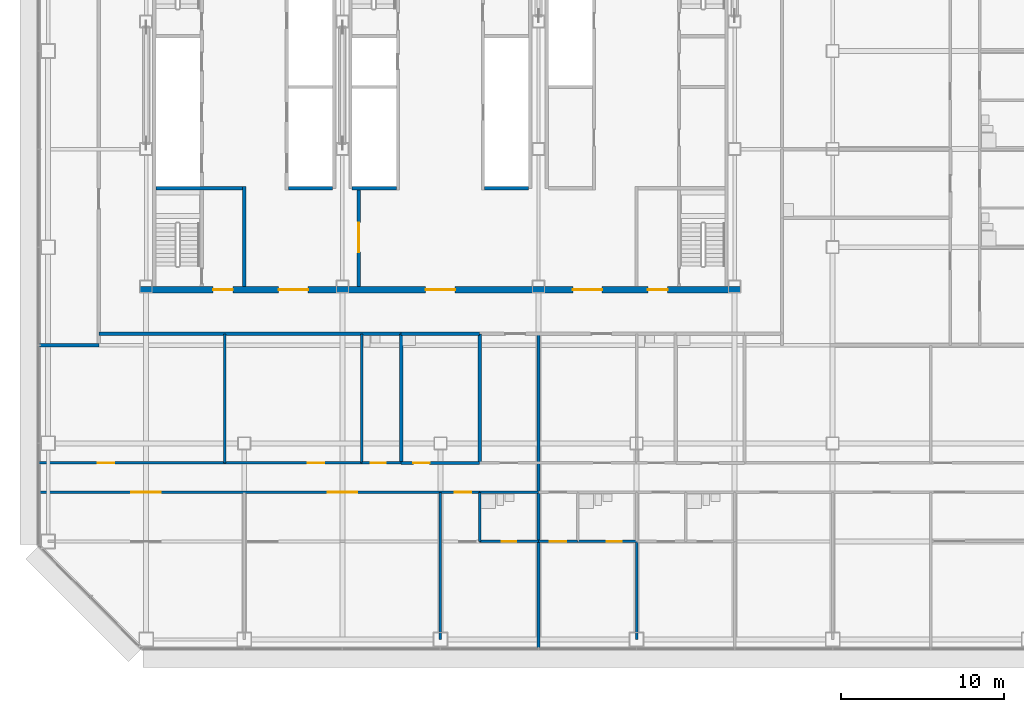
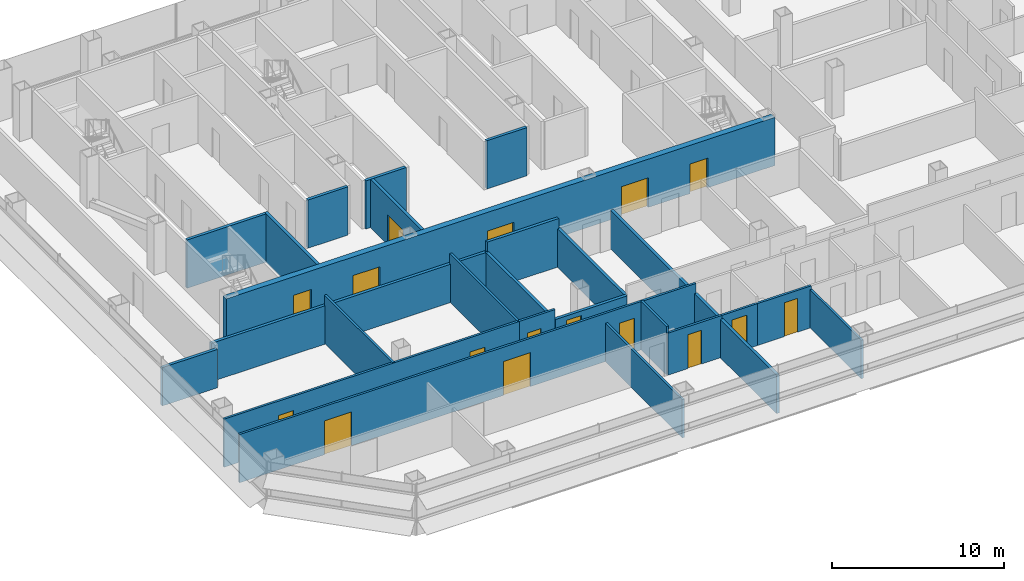
# One storey, part 20 of 26: 26 walls, 16 doors, 16 openings.
"""IFC4 building model written with IfcOpenShell, lengths in metres."""

from ifc_helpers import new_model, si_unit, direction, frame, frame_2d, origin, place, context, subcontext, project, spatial, rectangle, extrude, material, layer, layer_set, type_object, element, fill, save


model = new_model("IFC4")

# Units and contexts
model_context = context("Model", 3, precision=1e-05, world=origin(), true_north=direction((0.0, 1.0)))
body_context = subcontext(model_context, "Body", "Model", "MODEL_VIEW")
ifc_project = project(units=[si_unit("LENGTHUNIT", "METRE"), si_unit("AREAUNIT", "SQUARE_METRE"), si_unit("VOLUMEUNIT", "CUBIC_METRE"), si_unit("PLANEANGLEUNIT", "RADIAN"), si_unit("MASSUNIT", "GRAM", prefix="KILO")], contexts=[model_context])

# Site, building, storey
site_placement = place(None, origin())
site = spatial("IfcSite", under=ifc_project, at=site_placement, CompositionType="ELEMENT")
building_placement = place(site_placement, origin())
building = spatial("IfcBuilding", under=site, at=building_placement, Name="Sorahane Residences", CompositionType="ELEMENT")
storey_placement = place(building_placement, frame((0.0, 0.0, 67.800048828125)))
storey = spatial("IfcBuildingStorey", under=building, at=storey_placement, Name="L13", CompositionType="ELEMENT", Elevation=67.800048828125)

# Walls
ifc_material_1 = material(Name="Concrete blockwork C20 wall", Category="masonry")
ifc_layer_1 = layer(ifc_material_1, 0.199951171875)
ifc_layer_set_1 = layer_set([ifc_layer_1], Name="Corridor wall 200 EI 120")
wall_type_1 = type_object("IfcWallType", Name="Corridor wall 200 EI 120", PredefinedType="SOLIDWALL", material=ifc_layer_set_1)
wall_1_placement = place(storey_placement, frame((-0.60009765625, 18.0, 0.0), z_axis=(0.0, 0.0, 1.0), x_axis=(1.0, 0.0, 0.0)))
element("IfcWall", 1, at=wall_1_placement, inside=storey, type_object=wall_type_1, Name="L13 corridor wall", PredefinedType="SOLIDWALL", context=body_context, shape_type="SweptSolid", body=[
    extrude(rectangle(XDim=3.7001953125, YDim=0.199951171875, at=frame_2d((1.85009765625, 0.0))), origin(), (0.0, 0.0, 1.0), 2.719970703125),
])
wall_2_placement = place(storey_placement, frame((3.10009765625, 18.699951171875, 0.0), z_axis=(0.0, 0.0, 1.0), x_axis=(1.0, 0.0, 0.0)))
element("IfcWall", 2, at=wall_2_placement, inside=storey, type_object=wall_type_1, Name="L13 corridor wall", PredefinedType="SOLIDWALL", context=body_context, shape_type="SweptSolid", body=[
    extrude(rectangle(XDim=18.5, YDim=0.199951171875, at=frame_2d((9.25, 0.0))), origin(), (0.0, 0.0, 1.0), 2.719970703125),
])
ifc_material_2 = material(Name="Concrete C30", Category="concrete")
ifc_layer_2 = layer(ifc_material_2, 0.199951171875)
ifc_layer_set_2 = layer_set([ifc_layer_2], Name="Front room wall 200 EI 120")
wall_type_2 = type_object("IfcWallType", Name="Front room wall 200 EI 120", PredefinedType="PARTITIONING", material=ifc_layer_set_2)
wall_3_placement = place(storey_placement, frame((12.0, 21.60009765625, 0.0), z_axis=(0.0, 0.0, 1.0), x_axis=(0.0, 1.0, 0.0)))
element("IfcWall", 3, at=wall_3_placement, inside=storey, type_object=wall_type_2, Name="L13 front room wall", PredefinedType="PARTITIONING", context=body_context, shape_type="SweptSolid", body=[
    extrude(rectangle(XDim=6.099853515625, YDim=0.199951171875, at=frame_2d((3.0498046875, 0.0))), origin(), (0.0, 0.0, 1.0), 3.419921875),
])
ifc_material_3 = material(Name="Concrete blockwork C20 wall", Category="masonry")
ifc_layer_3 = layer(ifc_material_3, 0.199951171875)
ifc_layer_set_3 = layer_set([ifc_layer_3], Name="Kitchen wall 200 EI 180")
wall_type_3 = type_object("IfcWallType", Name="Kitchen wall 200 EI 180", PredefinedType="SOLIDWALL", material=ifc_layer_set_3)
for number, where, z_axis, x_axis, name in (
    (4, (21.60009765625, 10.800048828125, 0.0), (0.0, 0.0, 1.0), (0.0, 1.0, 0.0), "L13 kitchen wall"),
    (5, (26.39990234375, 10.800048828125, 0.0), (0.0, 0.0, 1.0), (0.0, 1.0, 0.0), "L13 kitchen wall"),
):
    element("IfcWall", number, at=place(storey_placement, frame(where, z_axis=z_axis, x_axis=x_axis)), inside=storey, type_object=wall_type_3, Name=name, PredefinedType="SOLIDWALL", context=body_context, shape_type="SweptSolid", body=[
        extrude(rectangle(XDim=7.89990234375, YDim=0.199951171875, at=frame_2d((3.949951171875, 0.0))), origin(), (0.0, 0.0, 1.0), 2.719970703125),
    ])

# Wall, opening, door
wall_4_placement = place(storey_placement, frame((21.60009765625, 10.800048828125, 0.0), z_axis=(0.0, 0.0, 1.0), x_axis=(1.0, 0.0, 0.0)))
wall_4 = element("IfcWall", 6, at=wall_4_placement, inside=storey, type_object=wall_type_3, Name="L13 kitchen wall", PredefinedType="SOLIDWALL", context=body_context, shape_type="SweptSolid", body=[
    extrude(rectangle(XDim=4.7998046875, YDim=0.199951171875, at=frame_2d((2.39990234375, 0.0))), origin(), (0.0, 0.0, 1.0), 2.719970703125),
])
opening_1_placement = place(wall_4_placement, frame((0.739990234375, 0.0, 0.0)))
opening_1 = element("IfcOpeningElement", 7, at=opening_1_placement, cuts=wall_4, Name="Opening L13-05", PredefinedType="OPENING", context=body_context, shape_type="SweptSolid", body=[
    extrude(rectangle(XDim=1.0, YDim=2.39990234375, at=frame_2d((0.5, 1.199951171875))), frame((0.0, 0.10986328125, 0.0), z_axis=(0.0, -1.0, 0.0), x_axis=(1.0, 0.0, 0.0)), (0.0, 0.0, 1.0), 0.219970703125),
])
ifc_material_4 = material(Name="Steel", Category="steel")
door_type_1 = type_object("IfcDoorType", Name="Kitchen door 1000x2400 FD120", OperationType="NOTDEFINED", PredefinedType="DOOR", material=ifc_material_4)
door_1_placement = place(opening_1_placement, origin())
door_1 = element("IfcDoor", 8, at=door_1_placement, inside=storey, type_object=door_type_1, Name="Kitchen door L13-05", OperationType="SINGLE_SWING_LEFT", OverallHeight=2.39990234375, OverallWidth=1.0, PredefinedType="DOOR", context=body_context, shape_type="SweptSolid", body=[
    extrude(rectangle(XDim=1.0, YDim=2.39990234375, at=frame_2d((0.5, 1.199951171875))), frame((0.0, 0.02490234375, 0.0), z_axis=(0.0, -1.0, 0.0), x_axis=(1.0, 0.0, 0.0)), (0.0, 0.0, 1.0), 0.050048828125),
])
fill(opening_1, door_1)

# Walls
wall_5_placement = place(storey_placement, frame((21.60009765625, 18.699951171875, 0.0), z_axis=(0.0, 0.0, 1.0), x_axis=(1.0, 0.0, 0.0)))
element("IfcWall", 9, at=wall_5_placement, inside=storey, type_object=wall_type_3, Name="L13 kitchen wall", PredefinedType="SOLIDWALL", context=body_context, shape_type="SweptSolid", body=[
    extrude(rectangle(XDim=4.7998046875, YDim=0.199951171875, at=frame_2d((2.39990234375, 0.0))), origin(), (0.0, 0.0, 1.0), 3.419921875),
])
ifc_material_5 = material(Name="Concrete C30", Category="concrete")
ifc_layer_4 = layer(ifc_material_5, 0.199951171875)
ifc_layer_set_4 = layer_set([ifc_layer_4], Name="Lift shaft wall 200 EI 120")
wall_type_4 = type_object("IfcWallType", Name="Lift shaft wall 200 EI 120", PredefinedType="SOLIDWALL", material=ifc_layer_set_4)
for number, where, z_axis, x_axis, name in (
    (10, (14.699951171875, 27.60009765625, 0.0), (0.0, 0.0, 1.0), (1.0, 0.0, 0.0), "L13 lift shaft wall"),
    (11, (18.60009765625, 27.60009765625, 0.0), (0.0, 0.0, 1.0), (1.0, 0.0, 0.0), "L13 lift shaft wall"),
):
    element("IfcWall", number, at=place(storey_placement, frame(where, z_axis=z_axis, x_axis=x_axis)), inside=storey, type_object=wall_type_4, Name=name, PredefinedType="SOLIDWALL", context=body_context, shape_type="SweptSolid", body=[
        extrude(rectangle(XDim=2.699951171875, YDim=0.199951171875, at=frame_2d((1.35009765625, 0.0))), origin(), (0.0, 0.0, 1.0), 3.419921875),
    ])
ifc_material_6 = material(Name="Gypsum board partition on steel studs", Category="steel")
ifc_layer_5 = layer(ifc_material_6, 0.14990234375)
ifc_layer_set_5 = layer_set([ifc_layer_5], Name="Partition 150 EI 90")
wall_type_5 = type_object("IfcWallType", Name="Partition 150 EI 90", PredefinedType="PARTITIONING", material=ifc_layer_set_5)
wall_6_placement = place(storey_placement, frame((10.800048828125, 10.800048828125, 0.0), z_axis=(0.0, 0.0, 1.0), x_axis=(0.0, 1.0, 0.0)))
element("IfcWall", 12, at=wall_6_placement, inside=storey, type_object=wall_type_5, Name="L13 partition", PredefinedType="PARTITIONING", context=body_context, shape_type="SweptSolid", body=[
    extrude(rectangle(XDim=7.89990234375, YDim=0.14990234375, at=frame_2d((3.949951171875, 0.0))), origin(), (0.0, 0.0, 1.0), 3.419921875),
])
wall_7_placement = place(storey_placement, frame((24.0, 0.0, 0.0), z_axis=(0.0, 0.0, 1.0), x_axis=(0.0, 1.0, 0.0)))
element("IfcWall", 13, at=wall_7_placement, inside=storey, type_object=wall_type_5, Name="L13 partition", PredefinedType="PARTITIONING", context=body_context, shape_type="SweptSolid", body=[
    extrude(rectangle(XDim=9.0, YDim=0.14990234375, at=frame_2d((4.5, 0.0))), origin(), (0.0, 0.0, 1.0), 2.719970703125),
])
wall_8_placement = place(storey_placement, frame((36.0, 0.0, 0.0), z_axis=(0.0, 0.0, 1.0), x_axis=(0.0, 1.0, 0.0)))
element("IfcWall", 14, at=wall_8_placement, inside=storey, type_object=wall_type_5, Name="L13 partition", PredefinedType="PARTITIONING", context=body_context, shape_type="SweptSolid", body=[
    extrude(rectangle(XDim=6.0, YDim=0.14990234375, at=frame_2d((3.0, 0.0))), origin(), (0.0, 0.0, 1.0), 2.719970703125),
])

# Wall, openings, doors
wall_9_placement = place(storey_placement, frame((-0.60009765625, 10.800048828125, 0.0), z_axis=(0.0, 0.0, 1.0), x_axis=(1.0, 0.0, 0.0)))
wall_9 = element("IfcWall", 15, at=wall_9_placement, inside=storey, type_object=wall_type_5, Name="L13 partition", PredefinedType="PARTITIONING", context=body_context, shape_type="SweptSolid", body=[
    extrude(rectangle(XDim=19.800048828125, YDim=0.14990234375, at=frame_2d((9.89990234375, 0.0))), origin(), (0.0, 0.0, 1.0), 3.419921875),
])
opening_2_placement = place(wall_9_placement, frame((3.639892578125, 0.0, 0.0)))
opening_2 = element("IfcOpeningElement", 16, at=opening_2_placement, cuts=wall_9, Name="Opening L13-02", PredefinedType="OPENING", context=body_context, shape_type="SweptSolid", body=[
    extrude(rectangle(XDim=1.0, YDim=2.39990234375, at=frame_2d((0.5, 1.199951171875))), frame((0.0, 0.0849609375, 0.0), z_axis=(0.0, -1.0, 0.0), x_axis=(1.0, 0.0, 0.0)), (0.0, 0.0, 1.0), 0.169921875),
])
opening_3_placement = place(wall_9_placement, frame((16.47998046875, 0.0, 0.0)))
opening_3 = element("IfcOpeningElement", 17, at=opening_3_placement, cuts=wall_9, Name="Opening L13-03", PredefinedType="OPENING", context=body_context, shape_type="SweptSolid", body=[
    extrude(rectangle(XDim=1.0, YDim=2.39990234375, at=frame_2d((0.5, 1.199951171875))), frame((0.0, 0.0849609375, 0.0), z_axis=(0.0, -1.0, 0.0), x_axis=(1.0, 0.0, 0.0)), (0.0, 0.0, 1.0), 0.169921875),
])
ifc_material_7 = material(Name="Timber veneered fire door", Category="wood")
door_type_2 = type_object("IfcDoorType", Name="Room door 1000x2400 FD30", OperationType="NOTDEFINED", PredefinedType="DOOR", material=ifc_material_7)
door_2_placement = place(opening_2_placement, origin())
door_2 = element("IfcDoor", 18, at=door_2_placement, inside=storey, type_object=door_type_2, Name="Room door L13-02", OperationType="SINGLE_SWING_LEFT", OverallHeight=2.39990234375, OverallWidth=1.0, PredefinedType="DOOR", context=body_context, shape_type="SweptSolid", body=[
    extrude(rectangle(XDim=1.0, YDim=2.39990234375, at=frame_2d((0.5, 1.199951171875))), frame((0.0, 0.02490234375, 0.0), z_axis=(0.0, -1.0, 0.0), x_axis=(1.0, 0.0, 0.0)), (0.0, 0.0, 1.0), 0.050048828125),
])
fill(opening_2, door_2)
door_3_placement = place(opening_3_placement, origin())
door_3 = element("IfcDoor", 19, at=door_3_placement, inside=storey, type_object=door_type_2, Name="Room door L13-03", OperationType="SINGLE_SWING_RIGHT", OverallHeight=2.39990234375, OverallWidth=1.0, PredefinedType="DOOR", context=body_context, shape_type="SweptSolid", body=[
    extrude(rectangle(XDim=1.0, YDim=2.39990234375, at=frame_2d((0.5, 1.199951171875))), frame((0.0, 0.02490234375, 0.0), z_axis=(0.0, -1.0, 0.0), x_axis=(1.0, 0.0, 0.0)), (0.0, 0.0, 1.0), 0.050048828125),
])
fill(opening_3, door_3)

# Wall, opening, door
wall_10_placement = place(storey_placement, frame((30.0, 6.0, 0.0), z_axis=(0.0, 0.0, 1.0), x_axis=(1.0, 0.0, 0.0)))
wall_10 = element("IfcWall", 20, at=wall_10_placement, inside=storey, type_object=wall_type_5, Name="L13 partition", PredefinedType="PARTITIONING", context=body_context, shape_type="SweptSolid", body=[
    extrude(rectangle(XDim=2.39990234375, YDim=0.14990234375, at=frame_2d((1.199951171875, 0.0))), origin(), (0.0, 0.0, 1.0), 2.969970703125),
])
opening_4_placement = place(wall_10_placement, frame((0.699951171875, 0.0, 0.0)))
opening_4 = element("IfcOpeningElement", 21, at=opening_4_placement, cuts=wall_10, Name="Opening L13-23", PredefinedType="OPENING", context=body_context, shape_type="SweptSolid", body=[
    extrude(rectangle(XDim=1.0, YDim=2.39990234375, at=frame_2d((0.5, 1.199951171875))), frame((0.0, 0.0849609375, 0.0), z_axis=(0.0, -1.0, 0.0), x_axis=(1.0, 0.0, 0.0)), (0.0, 0.0, 1.0), 0.169921875),
])
door_4_placement = place(opening_4_placement, frame((1.0, 0.0, 0.0), z_axis=(0.0, 0.0, 1.0), x_axis=(-1.0, 0.0, 0.0)))
door_4 = element("IfcDoor", 22, at=door_4_placement, inside=storey, type_object=door_type_2, Name="Room door L13-23", OperationType="SINGLE_SWING_RIGHT", OverallHeight=2.39990234375, OverallWidth=1.0, PredefinedType="DOOR", context=body_context, shape_type="SweptSolid", body=[
    extrude(rectangle(XDim=1.0, YDim=2.39990234375, at=frame_2d((0.5, 1.199951171875))), frame((0.0, 0.02490234375, 0.0), z_axis=(0.0, -1.0, 0.0), x_axis=(1.0, 0.0, 0.0)), (0.0, 0.0, 1.0), 0.050048828125),
])
fill(opening_4, door_4)

# Wall, openings, doors
wall_11_placement = place(storey_placement, frame((-0.60009765625, 9.0, 0.0), z_axis=(0.0, 0.0, 1.0), x_axis=(1.0, 0.0, 0.0)))
wall_11 = element("IfcWall", 23, at=wall_11_placement, inside=storey, type_object=wall_type_5, Name="L13 partition", PredefinedType="PARTITIONING", context=body_context, shape_type="SweptSolid", body=[
    extrude(rectangle(XDim=27.0, YDim=0.14990234375, at=frame_2d((13.5, 0.0))), origin(), (0.0, 0.0, 1.0), 3.419921875),
])
opening_5_placement = place(wall_11_placement, frame((5.699951171875, 0.0, 0.0)))
opening_5 = element("IfcOpeningElement", 24, at=opening_5_placement, cuts=wall_11, Name="Opening L13-06", PredefinedType="OPENING", context=body_context, shape_type="SweptSolid", body=[
    extrude(rectangle(XDim=1.800048828125, YDim=2.39990234375, at=frame_2d((0.89990234375, 1.199951171875))), frame((0.0, 0.0849609375, 0.0), z_axis=(0.0, -1.0, 0.0), x_axis=(1.0, 0.0, 0.0)), (0.0, 0.0, 1.0), 0.169921875),
])
opening_6_placement = place(wall_11_placement, frame((17.699951171875, 0.0, 0.0)))
opening_6 = element("IfcOpeningElement", 25, at=opening_6_placement, cuts=wall_11, Name="Opening L13-07", PredefinedType="OPENING", context=body_context, shape_type="SweptSolid", body=[
    extrude(rectangle(XDim=1.800048828125, YDim=2.39990234375, at=frame_2d((0.89990234375, 1.199951171875))), frame((0.0, 0.0849609375, 0.0), z_axis=(0.0, -1.0, 0.0), x_axis=(1.0, 0.0, 0.0)), (0.0, 0.0, 1.0), 0.169921875),
])
opening_7_placement = place(wall_11_placement, frame((25.47998046875, 0.0, 0.0)))
opening_7 = element("IfcOpeningElement", 26, at=opening_7_placement, cuts=wall_11, Name="Opening L13-08", PredefinedType="OPENING", context=body_context, shape_type="SweptSolid", body=[
    extrude(rectangle(XDim=1.0, YDim=2.39990234375, at=frame_2d((0.5, 1.199951171875))), frame((0.0, 0.0849609375, 0.0), z_axis=(0.0, -1.0, 0.0), x_axis=(1.0, 0.0, 0.0)), (0.0, 0.0, 1.0), 0.169921875),
])
ifc_material_8 = material(Name="Timber veneered fire door", Category="wood")
door_type_3 = type_object("IfcDoorType", Name="Double door 1800x2400 FD30", OperationType="NOTDEFINED", PredefinedType="DOOR", material=ifc_material_8)
door_5_placement = place(opening_5_placement, frame((1.800048828125, 0.0, 0.0), z_axis=(0.0, 0.0, 1.0), x_axis=(-1.0, 0.0, 0.0)))
door_5 = element("IfcDoor", 27, at=door_5_placement, inside=storey, type_object=door_type_3, Name="Double door L13-06", OperationType="SINGLE_SWING_LEFT", OverallHeight=2.39990234375, OverallWidth=1.800048828125, PredefinedType="DOOR", context=body_context, shape_type="SweptSolid", body=[
    extrude(rectangle(XDim=1.800048828125, YDim=2.39990234375, at=frame_2d((0.89990234375, 1.199951171875))), frame((0.0, 0.02490234375, 0.0), z_axis=(0.0, -1.0, 0.0), x_axis=(1.0, 0.0, 0.0)), (0.0, 0.0, 1.0), 0.050048828125),
])
fill(opening_5, door_5)
door_6_placement = place(opening_6_placement, frame((1.800048828125, 0.0, 0.0), z_axis=(0.0, 0.0, 1.0), x_axis=(-1.0, 0.0, 0.0)))
door_6 = element("IfcDoor", 28, at=door_6_placement, inside=storey, type_object=door_type_3, Name="Double door L13-07", OperationType="SINGLE_SWING_LEFT", OverallHeight=2.39990234375, OverallWidth=1.800048828125, PredefinedType="DOOR", context=body_context, shape_type="SweptSolid", body=[
    extrude(rectangle(XDim=1.800048828125, YDim=2.39990234375, at=frame_2d((0.89990234375, 1.199951171875))), frame((0.0, 0.02490234375, 0.0), z_axis=(0.0, -1.0, 0.0), x_axis=(1.0, 0.0, 0.0)), (0.0, 0.0, 1.0), 0.050048828125),
])
fill(opening_6, door_6)
door_7_placement = place(opening_7_placement, frame((1.0, 0.0, 0.0), z_axis=(0.0, 0.0, 1.0), x_axis=(-1.0, 0.0, 0.0)))
door_7 = element("IfcDoor", 29, at=door_7_placement, inside=storey, type_object=door_type_2, Name="Room door L13-08", OperationType="SINGLE_SWING_LEFT", OverallHeight=2.39990234375, OverallWidth=1.0, PredefinedType="DOOR", context=body_context, shape_type="SweptSolid", body=[
    extrude(rectangle(XDim=1.0, YDim=2.39990234375, at=frame_2d((0.5, 1.199951171875))), frame((0.0, 0.02490234375, 0.0), z_axis=(0.0, -1.0, 0.0), x_axis=(1.0, 0.0, 0.0)), (0.0, 0.0, 1.0), 0.050048828125),
])
fill(opening_7, door_7)

# Walls
ifc_material_9 = material(Name="Concrete blockwork C20 wall", Category="masonry")
ifc_layer_6 = layer(ifc_material_9, 0.199951171875)
ifc_layer_set_6 = layer_set([ifc_layer_6], Name="Party wall 200 EI 120")
wall_type_6 = type_object("IfcWallType", Name="Party wall 200 EI 120", PredefinedType="SOLIDWALL", material=ifc_layer_set_6)
wall_12_placement = place(storey_placement, frame((30.0, -0.60009765625, 0.0), z_axis=(0.0, 0.0, 1.0), x_axis=(0.0, 1.0, 0.0)))
element("IfcWall", 30, at=wall_12_placement, inside=storey, type_object=wall_type_6, Name="L13 party wall", PredefinedType="SOLIDWALL", context=body_context, shape_type="SweptSolid", body=[
    extrude(rectangle(XDim=19.300048828125, YDim=0.199951171875, at=frame_2d((9.64990234375, 0.0))), origin(), (0.0, 0.0, 1.0), 2.719970703125),
])
ifc_material_10 = material(Name="Concrete C30", Category="concrete")
ifc_layer_7 = layer(ifc_material_10, 0.199951171875)
ifc_layer_set_7 = layer_set([ifc_layer_7], Name="Riser shaft wall 200 EI 120")
wall_type_7 = type_object("IfcWallType", Name="Riser shaft wall 200 EI 120", PredefinedType="SOLIDWALL", material=ifc_layer_set_7)
wall_13_placement = place(storey_placement, frame((26.699951171875, 27.60009765625, 0.0), z_axis=(0.0, 0.0, 1.0), x_axis=(1.0, 0.0, 0.0)))
element("IfcWall", 31, at=wall_13_placement, inside=storey, type_object=wall_type_7, Name="L13 riser wall", PredefinedType="SOLIDWALL", context=body_context, shape_type="SweptSolid", body=[
    extrude(rectangle(XDim=2.699951171875, YDim=0.199951171875, at=frame_2d((1.35009765625, 0.0))), origin(), (0.0, 0.0, 1.0), 3.419921875),
])

# Wall, opening, door
ifc_material_11 = material(Name="Concrete C30", Category="concrete")
ifc_layer_8 = layer(ifc_material_11, 0.199951171875)
ifc_layer_set_8 = layer_set([ifc_layer_8], Name="Service room partition 200 EI 60")
wall_type_8 = type_object("IfcWallType", Name="Service room partition 200 EI 60", PredefinedType="PARTITIONING", material=ifc_layer_set_8)
wall_14_placement = place(storey_placement, frame((19.0, 21.60009765625, 0.0), z_axis=(0.0, 0.0, 1.0), x_axis=(0.0, 1.0, 0.0)))
wall_14 = element("IfcWall", 32, at=wall_14_placement, inside=storey, type_object=wall_type_8, Name="L13 service room wall", PredefinedType="PARTITIONING", context=body_context, shape_type="SweptSolid", body=[
    extrude(rectangle(XDim=6.0, YDim=0.199951171875, at=frame_2d((3.0, 0.0))), origin(), (0.0, 0.0, 1.0), 3.419921875),
])
opening_8_placement = place(wall_14_placement, frame((2.10009765625, 0.0, 0.0)))
opening_8 = element("IfcOpeningElement", 33, at=opening_8_placement, cuts=wall_14, Name="Opening L13-C02", PredefinedType="OPENING", context=body_context, shape_type="SweptSolid", body=[
    extrude(rectangle(XDim=1.800048828125, YDim=2.10009765625, at=frame_2d((0.89990234375, 1.050048828125))), frame((0.0, 0.10986328125, 0.0), z_axis=(0.0, -1.0, 0.0), x_axis=(1.0, 0.0, 0.0)), (0.0, 0.0, 1.0), 0.219970703125),
])
ifc_material_12 = material(Name="Steel", Category="steel")
door_type_4 = type_object("IfcDoorType", Name="Waiting hall door 1800x2100 FD60", OperationType="NOTDEFINED", PredefinedType="DOOR", material=ifc_material_12)
door_8_placement = place(opening_8_placement, origin())
door_8 = element("IfcDoor", 34, at=door_8_placement, inside=storey, type_object=door_type_4, Name="Waiting hall door Residents' waiting hall west L13", OperationType="SINGLE_SWING_LEFT", OverallHeight=2.10009765625, OverallWidth=1.800048828125, PredefinedType="DOOR", context=body_context, shape_type="SweptSolid", body=[
    extrude(rectangle(XDim=1.800048828125, YDim=2.10009765625, at=frame_2d((0.89990234375, 1.050048828125))), frame((0.0, 0.02490234375, 0.0), z_axis=(0.0, -1.0, 0.0), x_axis=(1.0, 0.0, 0.0)), (0.0, 0.0, 1.0), 0.050048828125),
])
fill(opening_8, door_8)

# Wall
ifc_material_13 = material(Name="Concrete C30", Category="concrete")
ifc_layer_9 = layer(ifc_material_13, 0.199951171875)
ifc_layer_set_9 = layer_set([ifc_layer_9], Name="Stair enclosure wall 200 EI 120")
wall_type_9 = type_object("IfcWallType", Name="Stair enclosure wall 200 EI 120", PredefinedType="SOLIDWALL", material=ifc_layer_set_9)
wall_15_placement = place(storey_placement, frame((6.60009765625, 27.60009765625, 0.0), z_axis=(0.0, 0.0, 1.0), x_axis=(1.0, 0.0, 0.0)))
element("IfcWall", 35, at=wall_15_placement, inside=storey, type_object=wall_type_9, Name="L13 stair enclosure wall", PredefinedType="SOLIDWALL", context=body_context, shape_type="SweptSolid", body=[
    extrude(rectangle(XDim=5.2998046875, YDim=0.199951171875, at=frame_2d((2.64990234375, 0.0))), origin(), (0.0, 0.0, 1.0), 3.419921875),
])

# Wall, openings, doors
ifc_material_14 = material(Name="Concrete C30", Category="concrete")
ifc_layer_10 = layer(ifc_material_14, 0.39990234375)
ifc_layer_set_10 = layer_set([ifc_layer_10], Name="Waiting hall wall 400 EI 120")
wall_type_10 = type_object("IfcWallType", Name="Waiting hall wall 400 EI 120", PredefinedType="SOLIDWALL", material=ifc_layer_set_10)
wall_16_placement = place(storey_placement, frame((5.60009765625, 21.39990234375, 0.0), z_axis=(0.0, 0.0, 1.0), x_axis=(1.0, 0.0, 0.0)))
wall_16 = element("IfcWall", 36, at=wall_16_placement, inside=storey, type_object=wall_type_10, Name="L13 waiting hall wall", PredefinedType="SOLIDWALL", context=body_context, shape_type="SweptSolid", body=[
    extrude(rectangle(XDim=36.7998046875, YDim=0.39990234375, at=frame_2d((18.39990234375, 0.0))), origin(), (0.0, 0.0, 1.0), 3.419921875),
])
opening_9_placement = place(wall_16_placement, frame((8.5, 0.0, 0.0)))
opening_9 = element("IfcOpeningElement", 37, at=opening_9_placement, cuts=wall_16, Name="Opening L13-C01", PredefinedType="OPENING", context=body_context, shape_type="SweptSolid", body=[
    extrude(rectangle(XDim=1.800048828125, YDim=2.10009765625, at=frame_2d((0.89990234375, 1.050048828125))), frame((0.0, 0.2099609375, 0.0), z_axis=(0.0, -1.0, 0.0), x_axis=(1.0, 0.0, 0.0)), (0.0, 0.0, 1.0), 0.419921875),
])
opening_10_placement = place(wall_16_placement, frame((17.5, 0.0, 0.0)))
opening_10 = element("IfcOpeningElement", 38, at=opening_10_placement, cuts=wall_16, Name="Opening L13-C03", PredefinedType="OPENING", context=body_context, shape_type="SweptSolid", body=[
    extrude(rectangle(XDim=1.800048828125, YDim=2.10009765625, at=frame_2d((0.89990234375, 1.050048828125))), frame((0.0, 0.2099609375, 0.0), z_axis=(0.0, -1.0, 0.0), x_axis=(1.0, 0.0, 0.0)), (0.0, 0.0, 1.0), 0.419921875),
])
opening_11_placement = place(wall_16_placement, frame((26.5, 0.0, 0.0)))
opening_11 = element("IfcOpeningElement", 39, at=opening_11_placement, cuts=wall_16, Name="Opening L13-C04", PredefinedType="OPENING", context=body_context, shape_type="SweptSolid", body=[
    extrude(rectangle(XDim=1.800048828125, YDim=2.10009765625, at=frame_2d((0.89990234375, 1.050048828125))), frame((0.0, 0.2099609375, 0.0), z_axis=(0.0, -1.0, 0.0), x_axis=(1.0, 0.0, 0.0)), (0.0, 0.0, 1.0), 0.419921875),
])
opening_12_placement = place(wall_16_placement, frame((4.5, 0.0, 0.0)))
opening_12 = element("IfcOpeningElement", 40, at=opening_12_placement, cuts=wall_16, Name="Opening L13-C05", PredefinedType="OPENING", context=body_context, shape_type="SweptSolid", body=[
    extrude(rectangle(XDim=1.199951171875, YDim=2.10009765625, at=frame_2d((0.60009765625, 1.050048828125))), frame((0.0, 0.2099609375, 0.0), z_axis=(0.0, -1.0, 0.0), x_axis=(1.0, 0.0, 0.0)), (0.0, 0.0, 1.0), 0.419921875),
])
opening_13_placement = place(wall_16_placement, frame((31.10009765625, 0.0, 0.0)))
opening_13 = element("IfcOpeningElement", 41, at=opening_13_placement, cuts=wall_16, Name="Opening L13-C06", PredefinedType="OPENING", context=body_context, shape_type="SweptSolid", body=[
    extrude(rectangle(XDim=1.199951171875, YDim=2.10009765625, at=frame_2d((0.60009765625, 1.050048828125))), frame((0.0, 0.2099609375, 0.0), z_axis=(0.0, -1.0, 0.0), x_axis=(1.0, 0.0, 0.0)), (0.0, 0.0, 1.0), 0.419921875),
])
ifc_material_15 = material(Name="Steel", Category="steel")
door_type_5 = type_object("IfcDoorType", Name="Stair front room door 1200x2100 FD120", OperationType="NOTDEFINED", PredefinedType="DOOR", material=ifc_material_15)
door_9_placement = place(opening_12_placement, frame((1.199951171875, 0.0, 0.0), z_axis=(0.0, 0.0, 1.0), x_axis=(-1.0, 0.0, 0.0)))
door_9 = element("IfcDoor", 42, at=door_9_placement, inside=storey, type_object=door_type_5, Name="Stair front room door Stair S4 front room L13", OperationType="SINGLE_SWING_LEFT", OverallHeight=2.10009765625, OverallWidth=1.199951171875, PredefinedType="DOOR", context=body_context, shape_type="SweptSolid", body=[
    extrude(rectangle(XDim=1.199951171875, YDim=2.10009765625, at=frame_2d((0.60009765625, 1.050048828125))), frame((0.0, 0.02490234375, 0.0), z_axis=(0.0, -1.0, 0.0), x_axis=(1.0, 0.0, 0.0)), (0.0, 0.0, 1.0), 0.050048828125),
])
fill(opening_12, door_9)
door_10_placement = place(opening_13_placement, frame((1.199951171875, 0.0, 0.0), z_axis=(0.0, 0.0, 1.0), x_axis=(-1.0, 0.0, 0.0)))
door_10 = element("IfcDoor", 43, at=door_10_placement, inside=storey, type_object=door_type_5, Name="Stair front room door Stair S5 front room L13", OperationType="SINGLE_SWING_LEFT", OverallHeight=2.10009765625, OverallWidth=1.199951171875, PredefinedType="DOOR", context=body_context, shape_type="SweptSolid", body=[
    extrude(rectangle(XDim=1.199951171875, YDim=2.10009765625, at=frame_2d((0.60009765625, 1.050048828125))), frame((0.0, 0.02490234375, 0.0), z_axis=(0.0, -1.0, 0.0), x_axis=(1.0, 0.0, 0.0)), (0.0, 0.0, 1.0), 0.050048828125),
])
fill(opening_13, door_10)
door_11_placement = place(opening_9_placement, frame((1.800048828125, 0.0, 0.0), z_axis=(0.0, 0.0, 1.0), x_axis=(-1.0, 0.0, 0.0)))
door_11 = element("IfcDoor", 44, at=door_11_placement, inside=storey, type_object=door_type_4, Name="Waiting hall door Residents' waiting hall west L13", OperationType="SINGLE_SWING_LEFT", OverallHeight=2.10009765625, OverallWidth=1.800048828125, PredefinedType="DOOR", context=body_context, shape_type="SweptSolid", body=[
    extrude(rectangle(XDim=1.800048828125, YDim=2.10009765625, at=frame_2d((0.89990234375, 1.050048828125))), frame((0.0, 0.02490234375, 0.0), z_axis=(0.0, -1.0, 0.0), x_axis=(1.0, 0.0, 0.0)), (0.0, 0.0, 1.0), 0.050048828125),
])
fill(opening_9, door_11)
door_12_placement = place(opening_10_placement, frame((1.800048828125, 0.0, 0.0), z_axis=(0.0, 0.0, 1.0), x_axis=(-1.0, 0.0, 0.0)))
door_12 = element("IfcDoor", 45, at=door_12_placement, inside=storey, type_object=door_type_4, Name="Waiting hall door Residents' waiting hall east L13", OperationType="SINGLE_SWING_LEFT", OverallHeight=2.10009765625, OverallWidth=1.800048828125, PredefinedType="DOOR", context=body_context, shape_type="SweptSolid", body=[
    extrude(rectangle(XDim=1.800048828125, YDim=2.10009765625, at=frame_2d((0.89990234375, 1.050048828125))), frame((0.0, 0.02490234375, 0.0), z_axis=(0.0, -1.0, 0.0), x_axis=(1.0, 0.0, 0.0)), (0.0, 0.0, 1.0), 0.050048828125),
])
fill(opening_10, door_12)
door_13_placement = place(opening_11_placement, frame((1.800048828125, 0.0, 0.0), z_axis=(0.0, 0.0, 1.0), x_axis=(-1.0, 0.0, 0.0)))
door_13 = element("IfcDoor", 46, at=door_13_placement, inside=storey, type_object=door_type_4, Name="Waiting hall door Residents' waiting hall east L13", OperationType="SINGLE_SWING_LEFT", OverallHeight=2.10009765625, OverallWidth=1.800048828125, PredefinedType="DOOR", context=body_context, shape_type="SweptSolid", body=[
    extrude(rectangle(XDim=1.800048828125, YDim=2.10009765625, at=frame_2d((0.89990234375, 1.050048828125))), frame((0.0, 0.02490234375, 0.0), z_axis=(0.0, -1.0, 0.0), x_axis=(1.0, 0.0, 0.0)), (0.0, 0.0, 1.0), 0.050048828125),
])
fill(opening_11, door_13)

# Walls
ifc_material_16 = material(Name="Gypsum board partition on steel studs", Category="steel")
ifc_layer_11 = layer(ifc_material_16, 0.14990234375)
ifc_layer_set_11 = layer_set([ifc_layer_11], Name="Wet wall 150 EI 90")
wall_type_11 = type_object("IfcWallType", Name="Wet wall 150 EI 90", PredefinedType="PARTITIONING", material=ifc_layer_set_11)
wall_17_placement = place(storey_placement, frame((19.199951171875, 10.800048828125, 0.0), z_axis=(0.0, 0.0, 1.0), x_axis=(0.0, 1.0, 0.0)))
element("IfcWall", 47, at=wall_17_placement, inside=storey, type_object=wall_type_11, Name="L13 wet wall", PredefinedType="PARTITIONING", context=body_context, shape_type="SweptSolid", body=[
    extrude(rectangle(XDim=7.89990234375, YDim=0.14990234375, at=frame_2d((3.949951171875, 0.0))), origin(), (0.0, 0.0, 1.0), 3.419921875),
])
wall_18_placement = place(storey_placement, frame((26.39990234375, 6.0, 0.0), z_axis=(0.0, 0.0, 1.0), x_axis=(0.0, 1.0, 0.0)))
element("IfcWall", 48, at=wall_18_placement, inside=storey, type_object=wall_type_11, Name="L13 wet wall", PredefinedType="PARTITIONING", context=body_context, shape_type="SweptSolid", body=[
    extrude(rectangle(XDim=3.0, YDim=0.14990234375, at=frame_2d((1.5, 0.0))), origin(), (0.0, 0.0, 1.0), 3.419921875),
])

# Wall, opening, door
wall_19_placement = place(storey_placement, frame((19.199951171875, 10.800048828125, 0.0), z_axis=(0.0, 0.0, 1.0), x_axis=(1.0, 0.0, 0.0)))
wall_19 = element("IfcWall", 49, at=wall_19_placement, inside=storey, type_object=wall_type_11, Name="L13 wet wall", PredefinedType="PARTITIONING", context=body_context, shape_type="SweptSolid", body=[
    extrude(rectangle(XDim=2.400146484375, YDim=0.14990234375, at=frame_2d((1.2001953125, 0.0))), origin(), (0.0, 0.0, 1.0), 3.419921875),
])
opening_14_placement = place(wall_19_placement, frame((0.550048828125, 0.0, 0.0)))
opening_14 = element("IfcOpeningElement", 50, at=opening_14_placement, cuts=wall_19, Name="Opening L13-04", PredefinedType="OPENING", context=body_context, shape_type="SweptSolid", body=[
    extrude(rectangle(XDim=0.89990234375, YDim=2.39990234375, at=frame_2d((0.449951171875, 1.199951171875))), frame((0.0, 0.0849609375, 0.0), z_axis=(0.0, -1.0, 0.0), x_axis=(1.0, 0.0, 0.0)), (0.0, 0.0, 1.0), 0.169921875),
])
ifc_material_17 = material(Name="Timber veneered fire door", Category="wood")
door_type_6 = type_object("IfcDoorType", Name="Bathroom door 900x2400 FD30", OperationType="NOTDEFINED", PredefinedType="DOOR", material=ifc_material_17)
door_14_placement = place(opening_14_placement, frame((0.89990234375, 0.0, 0.0), z_axis=(0.0, 0.0, 1.0), x_axis=(-1.0, 0.0, 0.0)))
door_14 = element("IfcDoor", 51, at=door_14_placement, inside=storey, type_object=door_type_6, Name="Bathroom door L13-04", OperationType="SINGLE_SWING_RIGHT", OverallHeight=2.39990234375, OverallWidth=0.89990234375, PredefinedType="DOOR", context=body_context, shape_type="SweptSolid", body=[
    extrude(rectangle(XDim=0.89990234375, YDim=2.39990234375, at=frame_2d((0.449951171875, 1.199951171875))), frame((0.0, 0.02490234375, 0.0), z_axis=(0.0, -1.0, 0.0), x_axis=(1.0, 0.0, 0.0)), (0.0, 0.0, 1.0), 0.050048828125),
])
fill(opening_14, door_14)

wall_20_placement = place(storey_placement, frame((26.39990234375, 6.0, 0.0), z_axis=(0.0, 0.0, 1.0), x_axis=(1.0, 0.0, 0.0)))
wall_20 = element("IfcWall", 52, at=wall_20_placement, inside=storey, type_object=wall_type_11, Name="L13 wet wall", PredefinedType="PARTITIONING", context=body_context, shape_type="SweptSolid", body=[
    extrude(rectangle(XDim=3.60009765625, YDim=0.14990234375, at=frame_2d((1.800048828125, 0.0))), origin(), (0.0, 0.0, 1.0), 2.969970703125),
])
opening_15_placement = place(wall_20_placement, frame((1.35009765625, 0.0, 0.0)))
opening_15 = element("IfcOpeningElement", 53, at=opening_15_placement, cuts=wall_20, Name="Opening L13-12", PredefinedType="OPENING", context=body_context, shape_type="SweptSolid", body=[
    extrude(rectangle(XDim=0.89990234375, YDim=2.39990234375, at=frame_2d((0.449951171875, 1.199951171875))), frame((0.0, 0.0849609375, 0.0), z_axis=(0.0, -1.0, 0.0), x_axis=(1.0, 0.0, 0.0)), (0.0, 0.0, 1.0), 0.169921875),
])
door_15_placement = place(opening_15_placement, frame((0.89990234375, 0.0, 0.0), z_axis=(0.0, 0.0, 1.0), x_axis=(-1.0, 0.0, 0.0)))
door_15 = element("IfcDoor", 54, at=door_15_placement, inside=storey, type_object=door_type_6, Name="Bathroom door L13-12", OperationType="SINGLE_SWING_LEFT", OverallHeight=2.39990234375, OverallWidth=0.89990234375, PredefinedType="DOOR", context=body_context, shape_type="SweptSolid", body=[
    extrude(rectangle(XDim=0.89990234375, YDim=2.39990234375, at=frame_2d((0.449951171875, 1.199951171875))), frame((0.0, 0.02490234375, 0.0), z_axis=(0.0, -1.0, 0.0), x_axis=(1.0, 0.0, 0.0)), (0.0, 0.0, 1.0), 0.050048828125),
])
fill(opening_15, door_15)

wall_21_placement = place(storey_placement, frame((32.39990234375, 6.0, 0.0), z_axis=(0.0, 0.0, 1.0), x_axis=(1.0, 0.0, 0.0)))
wall_21 = element("IfcWall", 55, at=wall_21_placement, inside=storey, type_object=wall_type_11, Name="L13 wet wall", PredefinedType="PARTITIONING", context=body_context, shape_type="SweptSolid", body=[
    extrude(rectangle(XDim=3.60009765625, YDim=0.14990234375, at=frame_2d((1.800048828125, 0.0))), origin(), (0.0, 0.0, 1.0), 2.969970703125),
])
opening_16_placement = place(wall_21_placement, frame((1.7900390625, 0.0, 0.0)))
opening_16 = element("IfcOpeningElement", 56, at=opening_16_placement, cuts=wall_21, Name="Opening L13-24", PredefinedType="OPENING", context=body_context, shape_type="SweptSolid", body=[
    extrude(rectangle(XDim=0.89990234375, YDim=2.39990234375, at=frame_2d((0.449951171875, 1.199951171875))), frame((0.0, 0.0849609375, 0.0), z_axis=(0.0, -1.0, 0.0), x_axis=(1.0, 0.0, 0.0)), (0.0, 0.0, 1.0), 0.169921875),
])
door_16_placement = place(opening_16_placement, frame((0.89990234375, 0.0, 0.0), z_axis=(0.0, 0.0, 1.0), x_axis=(-1.0, 0.0, 0.0)))
door_16 = element("IfcDoor", 57, at=door_16_placement, inside=storey, type_object=door_type_6, Name="Bathroom door L13-24", OperationType="SINGLE_SWING_LEFT", OverallHeight=2.39990234375, OverallWidth=0.89990234375, PredefinedType="DOOR", context=body_context, shape_type="SweptSolid", body=[
    extrude(rectangle(XDim=0.89990234375, YDim=2.39990234375, at=frame_2d((0.449951171875, 1.199951171875))), frame((0.0, 0.02490234375, 0.0), z_axis=(0.0, -1.0, 0.0), x_axis=(1.0, 0.0, 0.0)), (0.0, 0.0, 1.0), 0.050048828125),
])
fill(opening_16, door_16)

# Wall
wall_22_placement = place(storey_placement, frame((26.39990234375, 9.0, 0.0), z_axis=(0.0, 0.0, 1.0), x_axis=(1.0, 0.0, 0.0)))
element("IfcWall", 58, at=wall_22_placement, inside=storey, type_object=wall_type_11, Name="L13 wet wall", PredefinedType="PARTITIONING", context=body_context, shape_type="SweptSolid", body=[
    extrude(rectangle(XDim=3.60009765625, YDim=0.14990234375, at=frame_2d((1.800048828125, 0.0))), origin(), (0.0, 0.0, 1.0), 3.419921875),
])

save(model, "model.ifc")
